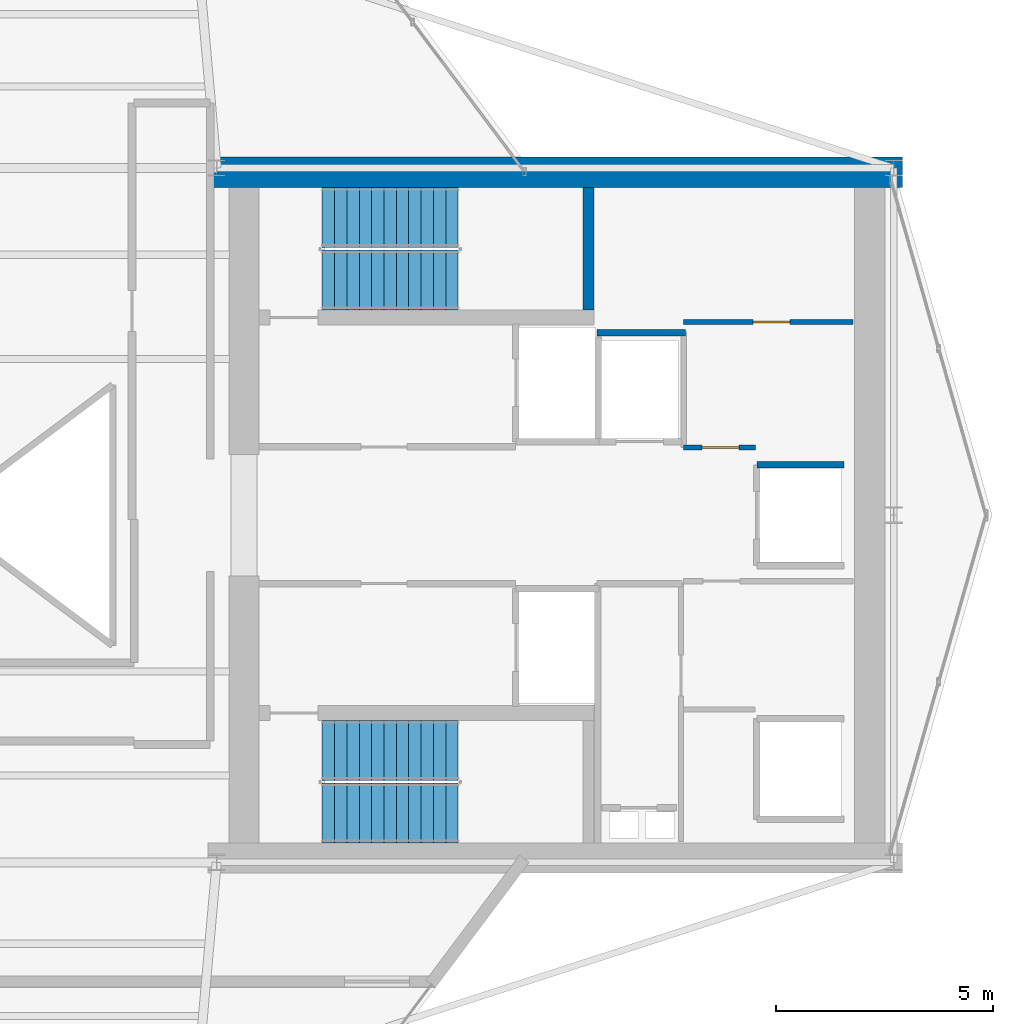
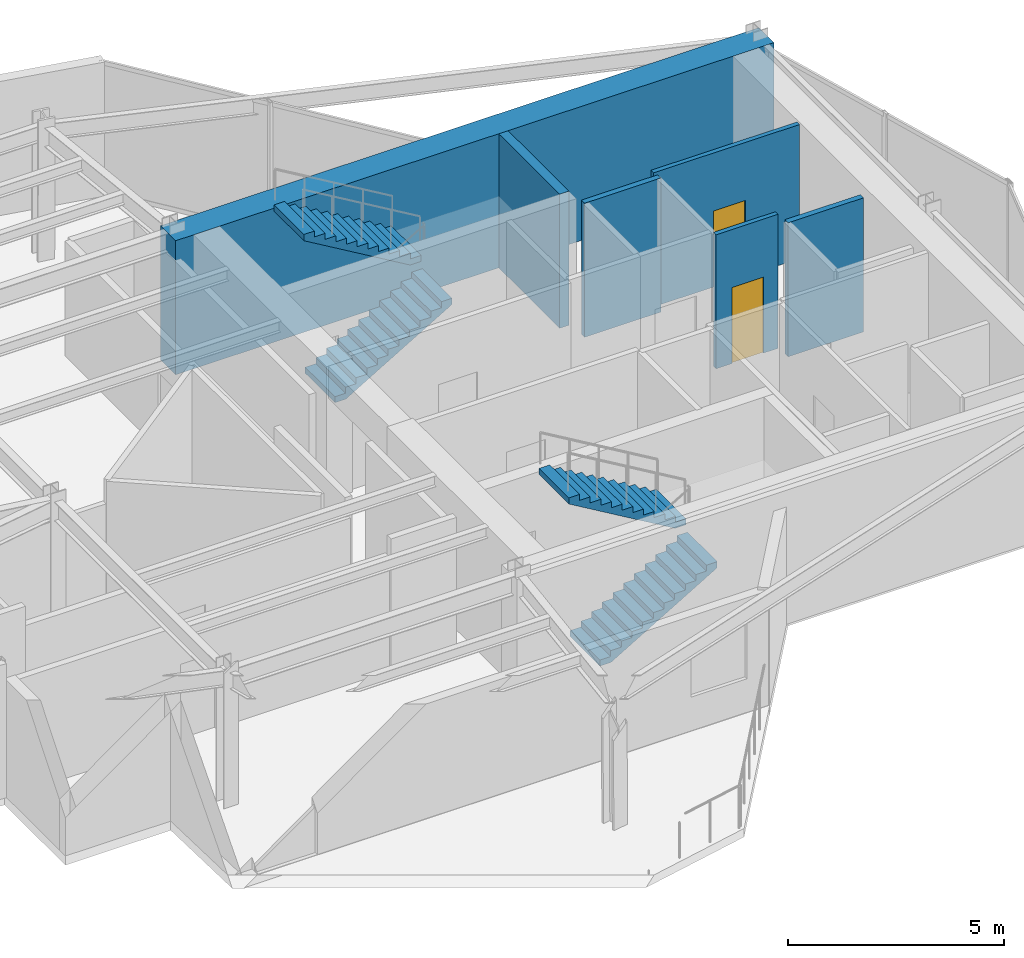
# One storey, part 16 of 18: 6 walls, 4 stair flights, 2 doors, 2 openings, 2 elements without a shape of their own.
"""IFC4 building model written with IfcOpenShell, lengths in metres."""

from ifc_helpers import new_model, si_unit, direction, frame, frame_2d, origin, place, context, subcontext, project, spatial, polyline, rectangle, outline, extrude, material, layer, layer_set, type_object, element, fill, aggregate, save


model = new_model("IFC4")

# Units and contexts
model_context = context("Model", 3, precision=1e-05, world=origin(), true_north=direction((0.0, 1.0)))
body_context = subcontext(model_context, "Body", "Model", "MODEL_VIEW")
ifc_project = project(units=[si_unit("LENGTHUNIT", "METRE"), si_unit("AREAUNIT", "SQUARE_METRE"), si_unit("VOLUMEUNIT", "CUBIC_METRE"), si_unit("PLANEANGLEUNIT", "RADIAN"), si_unit("MASSUNIT", "GRAM", prefix="KILO")], contexts=[model_context])

# Site, building, storey
site_placement = place(None, origin())
site = spatial("IfcSite", under=ifc_project, at=site_placement, CompositionType="ELEMENT")
building_placement = place(site_placement, origin())
building = spatial("IfcBuilding", under=site, at=building_placement, Name="Veymaron Broadcast Tower", CompositionType="ELEMENT")
storey_placement = place(building_placement, frame((0.0, 0.0, 236.39990234375)))
storey = spatial("IfcBuildingStorey", under=building, at=storey_placement, Name="L55", CompositionType="ELEMENT", Elevation=236.39990234375)

# Walls
ifc_material_1 = material(Name="Gypsum fireboard and steel stud framing", Category="steel")
ifc_layer_1 = layer(ifc_material_1, 0.14990234375)
ifc_layer_set_1 = layer_set([ifc_layer_1], Name="Gypsum fireboard and steel stud framing")
wall_type_1 = type_object("IfcWallType", Name="WALL-FIRE-150", PredefinedType="PARTITIONING", material=ifc_layer_set_1)
wall_1_placement = place(storey_placement, frame((51.445068359375, 25.159912109375, 0.0), z_axis=(0.0, 0.0, 1.0), x_axis=(1.0, 0.0, 0.0)))
element("IfcWall", 1, at=wall_1_placement, inside=storey, type_object=wall_type_1, Name="L55 partition IW-L55-SHN-PM3", PredefinedType="PARTITIONING", context=body_context, shape_type="SweptSolid", body=[
    extrude(rectangle(XDim=2.014892578125, YDim=0.14990234375, at=frame_2d((1.00732421875, 0.0))), origin(), (0.0, 0.0, 1.0), 3.7900390625),
])
wall_2_placement = place(storey_placement, frame((47.760009765625, 28.199951171875, 0.0), z_axis=(0.0, 0.0, 1.0), x_axis=(1.0, 0.0, 0.0)))
element("IfcWall", 2, at=wall_2_placement, inside=storey, type_object=wall_type_1, Name="L55 partition IW-L55-F2-SW", PredefinedType="PARTITIONING", context=body_context, shape_type="SweptSolid", body=[
    extrude(rectangle(XDim=2.0400390625, YDim=0.14990234375, at=frame_2d((1.02001953125, 0.0))), origin(), (0.0, 0.0, 1.0), 3.7900390625),
])

# Wall, opening, door
ifc_material_2 = material(Name="Acoustic gypsum board and galvanized stud", Category="gypsum")
ifc_layer_2 = layer(ifc_material_2, 0.1201171875)
ifc_layer_set_2 = layer_set([ifc_layer_2], Name="Acoustic gypsum board and galvanized stud")
wall_type_2 = type_object("IfcWallType", Name="WALL-PART-120", PredefinedType="PARTITIONING", material=ifc_layer_set_2)
wall_3_placement = place(storey_placement, frame((49.760009765625, 25.56005859375, 0.0), z_axis=(0.0, 0.0, 1.0), x_axis=(1.0, 0.0, 0.0)))
wall_3 = element("IfcWall", 3, at=wall_3_placement, inside=storey, type_object=wall_type_2, Name="L55 partition IW-L55-F2-S", PredefinedType="PARTITIONING", context=body_context, shape_type="SweptSolid", body=[
    extrude(rectangle(XDim=1.659912109375, YDim=0.1201171875, at=frame_2d((0.830078125, 0.0))), origin(), (0.0, 0.0, 1.0), 3.7900390625),
])
opening_1_placement = place(wall_3_placement, frame((0.419921875, 0.0, 0.0)))
opening_1 = element("IfcOpeningElement", 4, at=opening_1_placement, cuts=wall_3, Name="Opening ID-WC1", PredefinedType="OPENING", context=body_context, shape_type="SweptSolid", body=[
    extrude(rectangle(XDim=0.85009765625, YDim=2.14990234375, at=frame_2d((0.425048828125, 1.074951171875))), frame((0.0, 0.070068359375, 0.0), z_axis=(0.0, -1.0, 0.0), x_axis=(1.0, 0.0, 0.0)), (0.0, 0.0, 1.0), 0.14013671875),
])
ifc_material_3 = material(Name="Moisture-resistant high-pressure laminate timber", Category="wood")
door_type = type_object("IfcDoorType", Name="DOOR-INT-850", OperationType="NOTDEFINED", PredefinedType="DOOR", material=ifc_material_3)
door_1_placement = place(opening_1_placement, origin())
door_1 = element("IfcDoor", 5, at=door_1_placement, inside=storey, type_object=door_type, Name="L55 door DR-L55-F2A", OperationType="SINGLE_SWING_LEFT", OverallHeight=2.14990234375, OverallWidth=0.85009765625, PredefinedType="DOOR", context=body_context, shape_type="SweptSolid", body=[
    extrude(rectangle(XDim=0.85009765625, YDim=2.14990234375, at=frame_2d((0.425048828125, 1.074951171875))), frame((0.0, 0.02490234375, 0.0), z_axis=(0.0, -1.0, 0.0), x_axis=(1.0, 0.0, 0.0)), (0.0, 0.0, 1.0), 0.050048828125),
])
fill(opening_1, door_1)

wall_4_placement = place(storey_placement, frame((49.760009765625, 28.449951171875, 0.0), z_axis=(0.0, 0.0, 1.0), x_axis=(1.0, 0.0, 0.0)))
wall_4 = element("IfcWall", 6, at=wall_4_placement, inside=storey, type_object=wall_type_2, Name="L55 partition IW-L55-F2-M", PredefinedType="PARTITIONING", context=body_context, shape_type="SweptSolid", body=[
    extrude(rectangle(XDim=3.89990234375, YDim=0.1201171875, at=frame_2d((1.949951171875, 0.0))), origin(), (0.0, 0.0, 1.0), 3.7900390625),
])
opening_2_placement = place(wall_4_placement, frame((1.60009765625, 0.0, 0.0)))
opening_2 = element("IfcOpeningElement", 7, at=opening_2_placement, cuts=wall_4, Name="Opening ID-WC1", PredefinedType="OPENING", context=body_context, shape_type="SweptSolid", body=[
    extrude(rectangle(XDim=0.85009765625, YDim=2.14990234375, at=frame_2d((0.425048828125, 1.074951171875))), frame((0.0, 0.070068359375, 0.0), z_axis=(0.0, -1.0, 0.0), x_axis=(1.0, 0.0, 0.0)), (0.0, 0.0, 1.0), 0.14013671875),
])
door_2_placement = place(opening_2_placement, origin())
door_2 = element("IfcDoor", 8, at=door_2_placement, inside=storey, type_object=door_type, Name="L55 door DR-L55-F2B", OperationType="SINGLE_SWING_RIGHT", OverallHeight=2.14990234375, OverallWidth=0.85009765625, PredefinedType="DOOR", context=body_context, shape_type="SweptSolid", body=[
    extrude(rectangle(XDim=0.85009765625, YDim=2.14990234375, at=frame_2d((0.425048828125, 1.074951171875))), frame((0.0, 0.02490234375, 0.0), z_axis=(0.0, -1.0, 0.0), x_axis=(1.0, 0.0, 0.0)), (0.0, 0.0, 1.0), 0.050048828125),
])
fill(opening_2, door_2)

# Walls
ifc_material_4 = material(Name="Concrete C50/60", Category="concrete")
ifc_layer_3 = layer(ifc_material_4, 0.25)
ifc_layer_set_3 = layer_set([ifc_layer_3], Name="Concrete C50/60")
wall_type_3 = type_object("IfcWallType", Name="WALL-SHEAR-250", PredefinedType="SHEAR", material=ifc_layer_set_3)
wall_5_placement = place(storey_placement, frame((47.56494140625, 28.72998046875, 0.0), z_axis=(0.0, 0.0, 1.0), x_axis=(0.0, 1.0, 0.0)))
element("IfcWall", 9, at=wall_5_placement, inside=storey, type_object=wall_type_3, Name="L55 Core Wall north stair east shear", PredefinedType="SHEAR", context=body_context, shape_type="SweptSolid", body=[
    extrude(rectangle(XDim=2.820068359375, YDim=0.25, at=frame_2d((1.41015625, 0.0))), origin(), (0.0, 0.0, 1.0), 3.7900390625),
])
ifc_material_5 = material(Name="Concrete C60/75", Category="concrete")
ifc_layer_4 = layer(ifc_material_5, 0.699951171875)
ifc_layer_set_4 = layer_set([ifc_layer_4], Name="Concrete C60/75")
wall_type_4 = type_object("IfcWallType", Name="WALL-SHEAR-700", PredefinedType="SHEAR", material=ifc_layer_set_4)
wall_6_placement = place(storey_placement, frame((38.800048828125, 31.89990234375, 0.0), z_axis=(0.0, 0.0, 1.0), x_axis=(1.0, 0.0, 0.0)))
element("IfcWall", 10, at=wall_6_placement, inside=storey, type_object=wall_type_4, Name="L55 Core Wall north shear", PredefinedType="SHEAR", context=body_context, shape_type="SweptSolid", body=[
    extrude(rectangle(XDim=16.0, YDim=0.699951171875, at=frame_2d((8.0, 0.0))), origin(), (0.0, 0.0, 1.0), 3.7900390625),
])

# Stair, stair flights
stair_type_1 = type_object("IfcStairType", Name="STAIR-CORE-1", PredefinedType="HALF_TURN_STAIR", material=ifc_material_4)
stair_1_placement = place(storey_placement, origin())
stair_1 = element("IfcStair", 11, at=stair_1_placement, inside=storey, type_object=stair_type_1, Name="L55 North protected dog-leg exit stair ST1", PredefinedType="HALF_TURN_STAIR")
ifc_material_6 = material(Name="Precast concrete C50/60", Category="concrete")
stair_flight_type = type_object("IfcStairFlightType", Name="FLT-CORE-RC", PredefinedType="STRAIGHT", material=ifc_material_6)
stair_flight_1_placement = place(storey_placement, frame((41.429931640625, 29.419921875, 0.0), z_axis=(0.0, 0.0, 1.0), x_axis=(1.0, 0.0, 0.0)))
stair_flight_1 = element("IfcStairFlight", 12, at=stair_flight_1_placement, type_object=stair_flight_type, Name="ST1 flight 1", NumberOfRisers=12, NumberOfTreads=11, PredefinedType="STRAIGHT", RiserHeight=0.16875, TreadLength=0.285, context=body_context, shape_type="SweptSolid", body=[
    extrude(outline(polyline([(0.0, 0.0), (0.0, 0.168701171875), (0.284912109375, 0.168701171875), (0.284912109375, 0.33740234375), (0.570068359375, 0.33740234375), (0.570068359375, 0.50634765625), (0.85498046875, 0.50634765625), (0.85498046875, 0.675048828125), (1.139892578125, 0.675048828125), (1.139892578125, 0.84375), (1.425048828125, 0.84375), (1.425048828125, 1.012451171875), (1.7099609375, 1.012451171875), (1.7099609375, 1.18115234375), (1.9951171875, 1.18115234375), (1.9951171875, 1.35009765625), (2.280029296875, 1.35009765625), (2.280029296875, 1.518798828125), (2.56494140625, 1.518798828125), (2.56494140625, 1.6875), (2.85009765625, 1.6875), (2.85009765625, 1.856201171875), (3.135009765625, 1.856201171875), (3.135009765625, 2.02490234375), (3.135009765625, 1.68212890625), (0.294189453125, 0.0), (0.0, 0.0)])), frame((0.0, 0.68994140625, 0.0), z_axis=(0.0, -1.0, 0.0), x_axis=(1.0, 0.0, 0.0)), (0.0, 0.0, 1.0), 1.3798828125),
])
stair_flight_2_placement = place(storey_placement, frame((44.56494140625, 30.860107421875, 2.025146484375), z_axis=(0.0, 0.0, 1.0), x_axis=(-1.0, 0.0, 0.0)))
stair_flight_2 = element("IfcStairFlight", 13, at=stair_flight_2_placement, type_object=stair_flight_type, Name="ST1 flight 2", NumberOfRisers=12, NumberOfTreads=11, PredefinedType="STRAIGHT", RiserHeight=0.16875, TreadLength=0.285, context=body_context, shape_type="SweptSolid", body=[
    extrude(outline(polyline([(0.0, 0.0), (0.0, 0.168701171875), (0.284912109375, 0.168701171875), (0.284912109375, 0.33740234375), (0.570068359375, 0.33740234375), (0.570068359375, 0.50634765625), (0.85498046875, 0.50634765625), (0.85498046875, 0.675048828125), (1.139892578125, 0.675048828125), (1.139892578125, 0.84375), (1.425048828125, 0.84375), (1.425048828125, 1.012451171875), (1.7099609375, 1.012451171875), (1.7099609375, 1.18115234375), (1.9951171875, 1.18115234375), (1.9951171875, 1.35009765625), (2.280029296875, 1.35009765625), (2.280029296875, 1.518798828125), (2.56494140625, 1.518798828125), (2.56494140625, 1.6875), (2.85009765625, 1.6875), (2.85009765625, 1.856201171875), (3.135009765625, 1.856201171875), (3.135009765625, 2.02490234375), (3.135009765625, 1.68212890625), (0.294189453125, 0.0), (0.0, 0.0)])), frame((0.0, 0.68994140625, 0.0), z_axis=(0.0, -1.0, 0.0), x_axis=(1.0, 0.0, 0.0)), (0.0, 0.0, 1.0), 1.3798828125),
])
aggregate(stair_1, [stair_flight_1, stair_flight_2])

stair_type_2 = type_object("IfcStairType", Name="STAIR-CORE-2", PredefinedType="HALF_TURN_STAIR", material=ifc_material_4)
stair_2_placement = place(storey_placement, origin())
stair_2 = element("IfcStair", 14, at=stair_2_placement, inside=storey, type_object=stair_type_2, Name="L55 South protected dog-leg exit stair ST2", PredefinedType="HALF_TURN_STAIR")
stair_flight_3_placement = place(storey_placement, frame((41.429931640625, 17.139892578125, 0.0), z_axis=(0.0, 0.0, 1.0), x_axis=(1.0, 0.0, 0.0)))
stair_flight_3 = element("IfcStairFlight", 15, at=stair_flight_3_placement, type_object=stair_flight_type, Name="ST2 flight 1", NumberOfRisers=12, NumberOfTreads=11, PredefinedType="STRAIGHT", RiserHeight=0.16875, TreadLength=0.285, context=body_context, shape_type="SweptSolid", body=[
    extrude(outline(polyline([(0.0, 0.0), (0.0, 0.168701171875), (0.284912109375, 0.168701171875), (0.284912109375, 0.33740234375), (0.570068359375, 0.33740234375), (0.570068359375, 0.50634765625), (0.85498046875, 0.50634765625), (0.85498046875, 0.675048828125), (1.139892578125, 0.675048828125), (1.139892578125, 0.84375), (1.425048828125, 0.84375), (1.425048828125, 1.012451171875), (1.7099609375, 1.012451171875), (1.7099609375, 1.18115234375), (1.9951171875, 1.18115234375), (1.9951171875, 1.35009765625), (2.280029296875, 1.35009765625), (2.280029296875, 1.518798828125), (2.56494140625, 1.518798828125), (2.56494140625, 1.6875), (2.85009765625, 1.6875), (2.85009765625, 1.856201171875), (3.135009765625, 1.856201171875), (3.135009765625, 2.02490234375), (3.135009765625, 1.68212890625), (0.294189453125, 0.0), (0.0, 0.0)])), frame((0.0, 0.68994140625, 0.0), z_axis=(0.0, -1.0, 0.0), x_axis=(1.0, 0.0, 0.0)), (0.0, 0.0, 1.0), 1.3798828125),
])
stair_flight_4_placement = place(storey_placement, frame((44.56494140625, 18.580078125, 2.025146484375), z_axis=(0.0, 0.0, 1.0), x_axis=(-1.0, 0.0, 0.0)))
stair_flight_4 = element("IfcStairFlight", 16, at=stair_flight_4_placement, type_object=stair_flight_type, Name="ST2 flight 2", NumberOfRisers=12, NumberOfTreads=11, PredefinedType="STRAIGHT", RiserHeight=0.16875, TreadLength=0.285, context=body_context, shape_type="SweptSolid", body=[
    extrude(outline(polyline([(0.0, 0.0), (0.0, 0.168701171875), (0.284912109375, 0.168701171875), (0.284912109375, 0.33740234375), (0.570068359375, 0.33740234375), (0.570068359375, 0.50634765625), (0.85498046875, 0.50634765625), (0.85498046875, 0.675048828125), (1.139892578125, 0.675048828125), (1.139892578125, 0.84375), (1.425048828125, 0.84375), (1.425048828125, 1.012451171875), (1.7099609375, 1.012451171875), (1.7099609375, 1.18115234375), (1.9951171875, 1.18115234375), (1.9951171875, 1.35009765625), (2.280029296875, 1.35009765625), (2.280029296875, 1.518798828125), (2.56494140625, 1.518798828125), (2.56494140625, 1.6875), (2.85009765625, 1.6875), (2.85009765625, 1.856201171875), (3.135009765625, 1.856201171875), (3.135009765625, 2.02490234375), (3.135009765625, 1.68212890625), (0.294189453125, 0.0), (0.0, 0.0)])), frame((0.0, 0.68994140625, 0.0), z_axis=(0.0, -1.0, 0.0), x_axis=(1.0, 0.0, 0.0)), (0.0, 0.0, 1.0), 1.3798828125),
])
aggregate(stair_2, [stair_flight_3, stair_flight_4])

save(model, "model.ifc")
